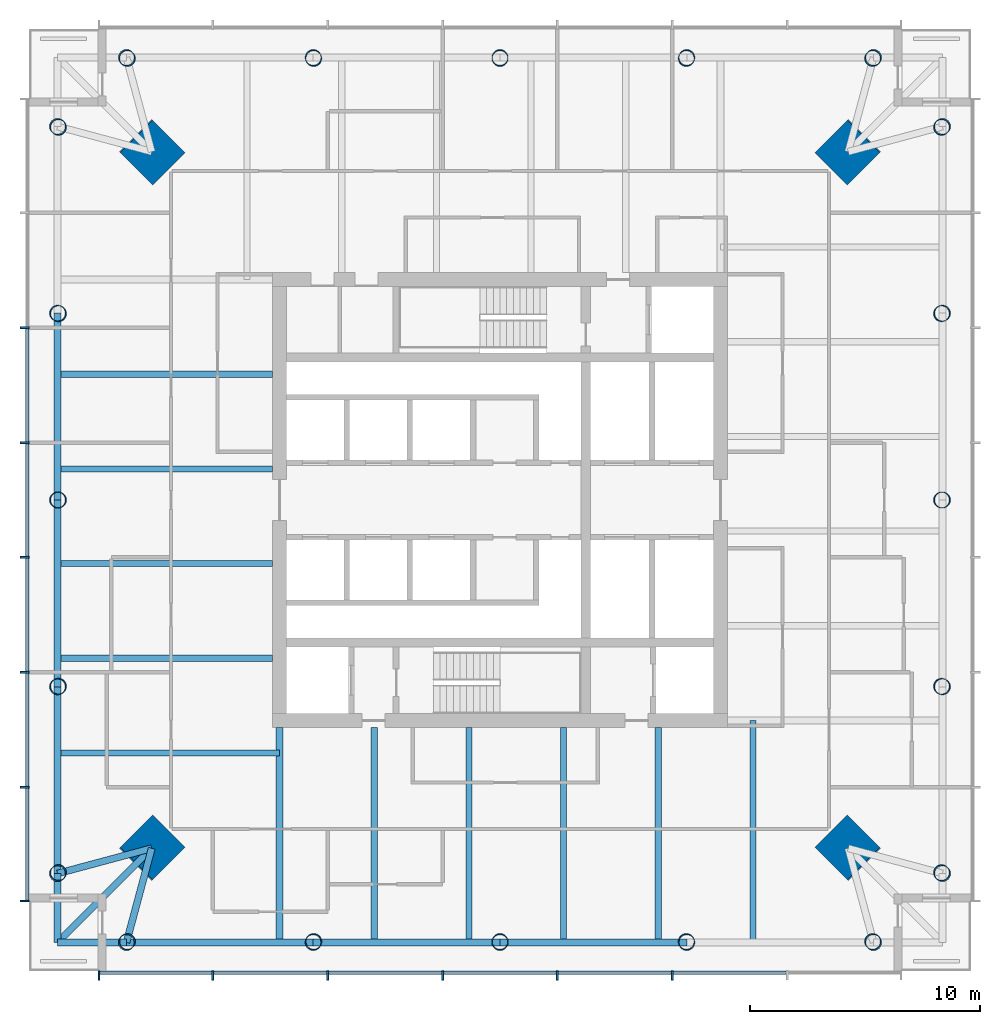
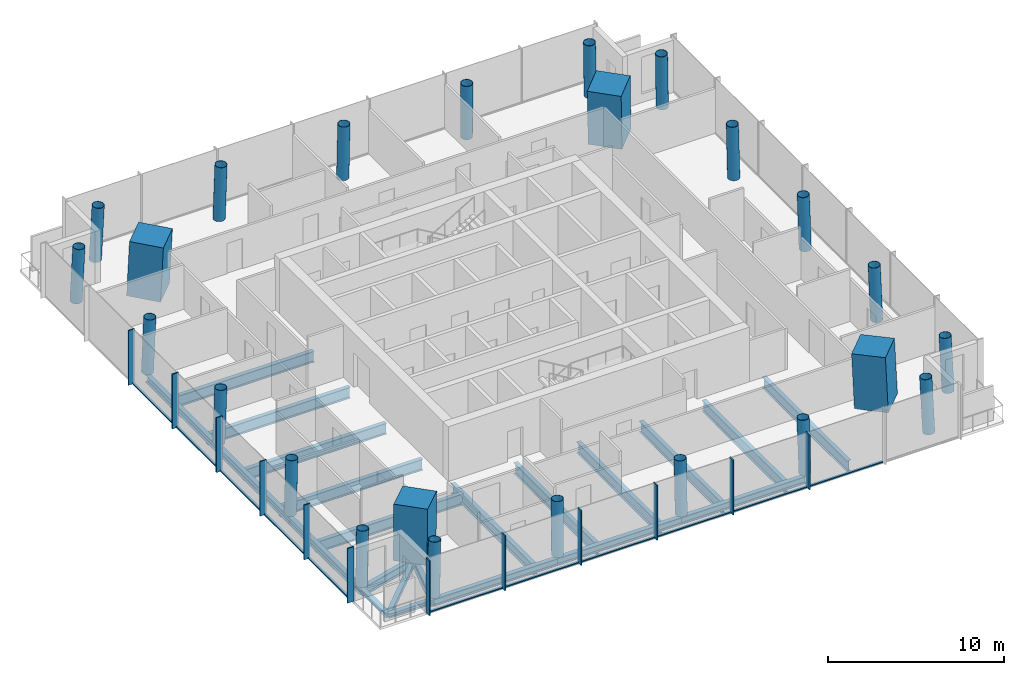
# One storey, part 1 of 8: 24 columns, 23 members, 22 beams, 2 elements without a shape of their own.
"""IFC4 building model written with IfcOpenShell, lengths in metres."""

from ifc_helpers import new_model, si_unit, direction, frame, origin, origin_2d, place, context, subcontext, project, spatial, rectangle, hollow_circle, i_section, extrude, material, material_profile, profile_set, type_object, element, aggregate, save


model = new_model("IFC4")

# Units and contexts
model_context = context("Model", 3, precision=1e-05, world=origin(), true_north=direction((0.0, 1.0)))
body_context = subcontext(model_context, "Body", "Model", "MODEL_VIEW")
ifc_project = project(units=[si_unit("LENGTHUNIT", "METRE"), si_unit("AREAUNIT", "SQUARE_METRE"), si_unit("VOLUMEUNIT", "CUBIC_METRE"), si_unit("PLANEANGLEUNIT", "RADIAN"), si_unit("MASSUNIT", "GRAM", prefix="KILO")], contexts=[model_context])

# Site, building, storey
site_placement = place(None, origin())
site = spatial("IfcSite", under=ifc_project, at=site_placement, CompositionType="ELEMENT")
building_placement = place(site_placement, origin())
building = spatial("IfcBuilding", under=site, at=building_placement, Name="Ostroluk Exchange", CompositionType="ELEMENT")
storey_placement = place(building_placement, frame((0.0, 0.0, 169.199951171875)))
storey = spatial("IfcBuildingStorey", under=building, at=storey_placement, Name="L43", CompositionType="ELEMENT", Elevation=169.199951171875)

# Columns
ifc_material_1 = material(Name="Concrete C50/60", Category="concrete")
ifc_material_profile_1 = material_profile(ifc_material_1, rectangle(XDim=2.0, YDim=2.0, at=origin_2d()), Name="RC 2000x2000")
ifc_profile_set_1 = profile_set([ifc_material_profile_1], Name="Concrete C50/60")
column_type_1 = type_object("IfcColumnType", Name="Mega column RC 2000x2000", PredefinedType="COLUMN", material=ifc_profile_set_1)
for number, where, z_axis, x_axis, name in (
    (1, (60.164306640625, 61.164306640625, 0.0), (-0.031898107953, -0.031898107953, 0.998981992539), (0.707106781187, -0.707106781187, 0.0), "T1 mega column NE"),
    (2, (29.835693359375, 61.164306640625, 0.0), (0.031898107953, -0.031898107953, 0.998981992539), (0.707106781187, 0.707106781187, 0.0), "T1 mega column NW"),
    (3, (29.835693359375, 30.835693359375, 0.0), (0.031898107953, 0.031898107953, 0.998981992539), (-0.707106781187, 0.707106781187, 0.0), "T1 mega column SW"),
    (4, (60.164306640625, 30.835693359375, 0.0), (-0.031898107953, 0.031898107953, 0.998981992539), (-0.707106781187, -0.707106781187, 0.0), "T1 mega column SE"),
):
    element("IfcColumn", number, at=place(storey_placement, frame(where, z_axis=z_axis, x_axis=x_axis)), inside=storey, type_object=column_type_1, Name=name, PredefinedType="COLUMN", context=body_context, shape_type="SweptSolid", body=[
        extrude(rectangle(XDim=2.0, YDim=2.0, at=origin_2d()), origin(), (0.0, 0.0, 1.0), 3.803955078125),
    ])
ifc_material_2 = material(Name="Steel S460", Category="steel")
ifc_material_profile_2 = material_profile(ifc_material_2, hollow_circle(Radius=0.35546875, WallThickness=0.02490234375, at=origin_2d()), Name="CHS 711x25")
ifc_profile_set_2 = profile_set([ifc_material_profile_2], Name="Steel S460")
column_type_2 = type_object("IfcColumnType", Name="Perimeter column CHS 711x25", PredefinedType="COLUMN", material=ifc_profile_set_2)
for number, where, z_axis, x_axis, name in (
    (5, (64.264404296875, 29.735595703125, 0.0), (-0.031962158256, 0.031962158256, 0.998977898093), (-0.707106781187, -0.707106781187, 0.0), "T1 east face column E0"),
    (6, (64.264404296875, 62.264404296875, 0.0), (-0.031962158256, -0.031962158256, 0.998977898093), (0.707106781187, -0.707106781187, 0.0), "T1 east face column E1"),
):
    element("IfcColumn", number, at=place(storey_placement, frame(where, z_axis=z_axis, x_axis=x_axis)), inside=storey, type_object=column_type_2, Name=name, PredefinedType="COLUMN", context=body_context, shape_type="SweptSolid", body=[
        extrude(hollow_circle(Radius=0.35546875, WallThickness=0.02490234375, at=origin_2d()), origin(), (0.0, 0.0, 1.0), 3.803955078125),
    ])
column_1_placement = place(storey_placement, frame((64.264404296875, 37.867919921875, 0.0), z_axis=(-0.031974442509, 0.015923015547, 0.999361842679), x_axis=(-0.445775033553, -0.895145027055, 0.0)))
element("IfcColumn", 7, at=column_1_placement, inside=storey, type_object=column_type_2, Name="T1 east face column I1", PredefinedType="COLUMN", context=body_context, shape_type="SweptSolid", body=[
    extrude(hollow_circle(Radius=0.35546875, WallThickness=0.02490234375, at=origin_2d()), origin(), (0.0, 0.0, 1.0), 3.802490234375),
])
column_2_placement = place(storey_placement, frame((64.264404296875, 46.0, 0.0), z_axis=(-0.031978496719, 0.0, 0.999488557087), x_axis=(0.0, -1.0, 0.0)))
element("IfcColumn", 8, at=column_2_placement, inside=storey, type_object=column_type_2, Name="T1 east face column I2", PredefinedType="COLUMN", context=body_context, shape_type="SweptSolid", body=[
    extrude(hollow_circle(Radius=0.35546875, WallThickness=0.02490234375, at=origin_2d()), origin(), (0.0, 0.0, 1.0), 3.802001953125),
])
column_3_placement = place(storey_placement, frame((64.264404296875, 54.132080078125, 0.0), z_axis=(-0.031974442509, -0.015923015547, 0.999361842679), x_axis=(0.445775033553, -0.895145027055, 0.0)))
element("IfcColumn", 9, at=column_3_placement, inside=storey, type_object=column_type_2, Name="T1 east face column I3", PredefinedType="COLUMN", context=body_context, shape_type="SweptSolid", body=[
    extrude(hollow_circle(Radius=0.35546875, WallThickness=0.02490234375, at=origin_2d()), origin(), (0.0, 0.0, 1.0), 3.802490234375),
])
for number, where, z_axis, x_axis, name in (
    (10, (61.264404296875, 65.264404296875, 0.0), (-0.031962158256, -0.031962158256, 0.998977898093), (0.707106781187, -0.707106781187, 0.0), "T1 north face column E0"),
    (11, (28.735595703125, 65.264404296875, 0.0), (0.031962158256, -0.031962158256, 0.998977898093), (0.707106781187, 0.707106781187, 0.0), "T1 north face column E1"),
):
    element("IfcColumn", number, at=place(storey_placement, frame(where, z_axis=z_axis, x_axis=x_axis)), inside=storey, type_object=column_type_2, Name=name, PredefinedType="COLUMN", context=body_context, shape_type="SweptSolid", body=[
        extrude(hollow_circle(Radius=0.35546875, WallThickness=0.02490234375, at=origin_2d()), origin(), (0.0, 0.0, 1.0), 3.803955078125),
    ])
column_4_placement = place(storey_placement, frame((53.132080078125, 65.264404296875, 0.0), z_axis=(-0.015923015547, -0.031974442509, 0.999361842679), x_axis=(0.895145027055, -0.445775033553, 0.0)))
element("IfcColumn", 12, at=column_4_placement, inside=storey, type_object=column_type_2, Name="T1 north face column I1", PredefinedType="COLUMN", context=body_context, shape_type="SweptSolid", body=[
    extrude(hollow_circle(Radius=0.35546875, WallThickness=0.02490234375, at=origin_2d()), origin(), (0.0, 0.0, 1.0), 3.802490234375),
])
column_5_placement = place(storey_placement, frame((45.0, 65.264404296875, 0.0), z_axis=(0.0, -0.031978496719, 0.999488557087), x_axis=(1.0, 0.0, 0.0)))
element("IfcColumn", 13, at=column_5_placement, inside=storey, type_object=column_type_2, Name="T1 north face column I2", PredefinedType="COLUMN", context=body_context, shape_type="SweptSolid", body=[
    extrude(hollow_circle(Radius=0.35546875, WallThickness=0.02490234375, at=origin_2d()), origin(), (0.0, 0.0, 1.0), 3.802001953125),
])
column_6_placement = place(storey_placement, frame((36.867919921875, 65.264404296875, 0.0), z_axis=(0.015923015547, -0.031974442509, 0.999361842679), x_axis=(0.895145027055, 0.445775033553, 0.0)))
element("IfcColumn", 14, at=column_6_placement, inside=storey, type_object=column_type_2, Name="T1 north face column I3", PredefinedType="COLUMN", context=body_context, shape_type="SweptSolid", body=[
    extrude(hollow_circle(Radius=0.35546875, WallThickness=0.02490234375, at=origin_2d()), origin(), (0.0, 0.0, 1.0), 3.802490234375),
])
for number, where, z_axis, x_axis, name in (
    (15, (25.735595703125, 62.264404296875, 0.0), (0.031962158256, -0.031962158256, 0.998977898093), (0.707106781187, 0.707106781187, 0.0), "T1 west face column E0"),
    (16, (25.735595703125, 29.735595703125, 0.0), (0.031962158256, 0.031962158256, 0.998977898093), (-0.707106781187, 0.707106781187, 0.0), "T1 west face column E1"),
):
    element("IfcColumn", number, at=place(storey_placement, frame(where, z_axis=z_axis, x_axis=x_axis)), inside=storey, type_object=column_type_2, Name=name, PredefinedType="COLUMN", context=body_context, shape_type="SweptSolid", body=[
        extrude(hollow_circle(Radius=0.35546875, WallThickness=0.02490234375, at=origin_2d()), origin(), (0.0, 0.0, 1.0), 3.803955078125),
    ])
column_7_placement = place(storey_placement, frame((25.735595703125, 54.132080078125, 0.0), z_axis=(0.031974442509, -0.015923015547, 0.999361842679), x_axis=(0.445775033553, 0.895145027055, 0.0)))
element("IfcColumn", 17, at=column_7_placement, inside=storey, type_object=column_type_2, Name="T1 west face column I1", PredefinedType="COLUMN", context=body_context, shape_type="SweptSolid", body=[
    extrude(hollow_circle(Radius=0.35546875, WallThickness=0.02490234375, at=origin_2d()), origin(), (0.0, 0.0, 1.0), 3.802490234375),
])
column_8_placement = place(storey_placement, frame((25.735595703125, 46.0, 0.0), z_axis=(0.031978496719, 0.0, 0.999488557087), x_axis=(0.0, 1.0, 0.0)))
element("IfcColumn", 18, at=column_8_placement, inside=storey, type_object=column_type_2, Name="T1 west face column I2", PredefinedType="COLUMN", context=body_context, shape_type="SweptSolid", body=[
    extrude(hollow_circle(Radius=0.35546875, WallThickness=0.02490234375, at=origin_2d()), origin(), (0.0, 0.0, 1.0), 3.802001953125),
])
column_9_placement = place(storey_placement, frame((25.735595703125, 37.867919921875, 0.0), z_axis=(0.031974442509, 0.015923015547, 0.999361842679), x_axis=(-0.445775033553, 0.895145027055, 0.0)))
element("IfcColumn", 19, at=column_9_placement, inside=storey, type_object=column_type_2, Name="T1 west face column I3", PredefinedType="COLUMN", context=body_context, shape_type="SweptSolid", body=[
    extrude(hollow_circle(Radius=0.35546875, WallThickness=0.02490234375, at=origin_2d()), origin(), (0.0, 0.0, 1.0), 3.802490234375),
])
for number, where, z_axis, x_axis, name in (
    (20, (28.735595703125, 26.735595703125, 0.0), (0.031962158256, 0.031962158256, 0.998977898093), (-0.707106781187, 0.707106781187, 0.0), "T1 south face column E0"),
    (21, (61.264404296875, 26.735595703125, 0.0), (-0.031962158256, 0.031962158256, 0.998977898093), (-0.707106781187, -0.707106781187, 0.0), "T1 south face column E1"),
):
    element("IfcColumn", number, at=place(storey_placement, frame(where, z_axis=z_axis, x_axis=x_axis)), inside=storey, type_object=column_type_2, Name=name, PredefinedType="COLUMN", context=body_context, shape_type="SweptSolid", body=[
        extrude(hollow_circle(Radius=0.35546875, WallThickness=0.02490234375, at=origin_2d()), origin(), (0.0, 0.0, 1.0), 3.803955078125),
    ])
column_10_placement = place(storey_placement, frame((36.867919921875, 26.735595703125, 0.0), z_axis=(0.015923015547, 0.031974442509, 0.999361842679), x_axis=(-0.895145027055, 0.445775033553, 0.0)))
element("IfcColumn", 22, at=column_10_placement, inside=storey, type_object=column_type_2, Name="T1 south face column I1", PredefinedType="COLUMN", context=body_context, shape_type="SweptSolid", body=[
    extrude(hollow_circle(Radius=0.35546875, WallThickness=0.02490234375, at=origin_2d()), origin(), (0.0, 0.0, 1.0), 3.802490234375),
])
column_11_placement = place(storey_placement, frame((45.0, 26.735595703125, 0.0), z_axis=(0.0, 0.031978496719, 0.999488557087), x_axis=(-1.0, 0.0, 0.0)))
element("IfcColumn", 23, at=column_11_placement, inside=storey, type_object=column_type_2, Name="T1 south face column I2", PredefinedType="COLUMN", context=body_context, shape_type="SweptSolid", body=[
    extrude(hollow_circle(Radius=0.35546875, WallThickness=0.02490234375, at=origin_2d()), origin(), (0.0, 0.0, 1.0), 3.802001953125),
])
column_12_placement = place(storey_placement, frame((53.132080078125, 26.735595703125, 0.0), z_axis=(-0.015923015547, 0.031974442509, 0.999361842679), x_axis=(-0.895145027055, -0.445775033553, 0.0)))
element("IfcColumn", 24, at=column_12_placement, inside=storey, type_object=column_type_2, Name="T1 south face column I3", PredefinedType="COLUMN", context=body_context, shape_type="SweptSolid", body=[
    extrude(hollow_circle(Radius=0.35546875, WallThickness=0.02490234375, at=origin_2d()), origin(), (0.0, 0.0, 1.0), 3.802490234375),
])

# Beams
ifc_material_3 = material(Name="Steel S355", Category="steel")
ifc_material_profile_3 = material_profile(ifc_material_3, i_section(OverallWidth=0.300048828125, OverallDepth=0.300048828125, WebThickness=0.010986328125, FlangeThickness=0.01904296875, FilletRadius=0.027099609375, at=origin_2d()), Name="HEB 300")
ifc_profile_set_3 = profile_set([ifc_material_profile_3], Name="Steel S355")
beam_type_1 = type_object("IfcBeamType", Name="Balcony beam HEB 300", PredefinedType="BEAM", material=ifc_profile_set_3)
for number, where, z_axis, x_axis, name in (
    (25, (25.735595703125, 29.735595703125, -0.329833984375), (0.0, -1.0, 0.0), (1.0, 0.0, 0.0), "T1 west balcony beam a"),
    (26, (28.735595703125, 26.735595703125, -0.329833984375), (-1.0, 0.0, 0.0), (0.0, -1.0, 0.0), "T1 west balcony beam b"),
):
    element("IfcBeam", number, at=place(storey_placement, frame(where, z_axis=z_axis, x_axis=x_axis)), inside=storey, type_object=beam_type_1, Name=name, PredefinedType="BEAM", context=body_context, shape_type="SweptSolid", body=[
        extrude(i_section(OverallWidth=0.300048828125, OverallDepth=0.300048828125, WebThickness=0.010986328125, FlangeThickness=0.01904296875, FilletRadius=0.027099609375, at=origin_2d()), origin(), (0.0, 0.0, 1.0), 3.0),
    ])
beam_1_placement = place(storey_placement, frame((29.835693359375, 30.835693359375, -0.329833984375), z_axis=(-0.707106781187, -0.707106781187, 0.0), x_axis=(0.707106781187, -0.707106781187, 0.0)))
element("IfcBeam", 27, at=beam_1_placement, inside=storey, type_object=beam_type_1, Name="T1 west balcony beam c", PredefinedType="BEAM", context=body_context, shape_type="SweptSolid", body=[
    extrude(i_section(OverallWidth=0.300048828125, OverallDepth=0.300048828125, WebThickness=0.010986328125, FlangeThickness=0.01904296875, FilletRadius=0.027099609375, at=origin_2d()), origin(), (0.0, 0.0, 1.0), 5.79833984375),
])
ifc_material_4 = material(Name="Steel S355", Category="steel")
ifc_material_profile_4 = material_profile(ifc_material_4, i_section(OverallWidth=0.300048828125, OverallDepth=0.60009765625, WebThickness=0.015380859375, FlangeThickness=0.030029296875, FilletRadius=0.027099609375, at=origin_2d()), Name="HEB 600")
ifc_profile_set_4 = profile_set([ifc_material_profile_4], Name="Steel S355")
beam_type_2 = type_object("IfcBeamType", Name="Corner edge beam HEB 600", PredefinedType="SPANDREL", material=ifc_profile_set_4)
for number, where, z_axis, x_axis, name in (
    (28, (29.835693359375, 30.835693359375, -0.47998046875), (-0.965838624319, -0.259144268261, 0.0), (0.259144268261, -0.965838624319, 0.0), "T1 west corner edge beam a"),
    (29, (29.835693359375, 30.835693359375, -0.47998046875), (-0.259144268261, -0.965838624319, 0.0), (0.965838624319, -0.259144268261, 0.0), "T1 west corner edge beam b"),
):
    element("IfcBeam", number, at=place(storey_placement, frame(where, z_axis=z_axis, x_axis=x_axis)), inside=storey, type_object=beam_type_2, Name=name, PredefinedType="SPANDREL", context=body_context, shape_type="SweptSolid", body=[
        extrude(i_section(OverallWidth=0.300048828125, OverallDepth=0.60009765625, WebThickness=0.015380859375, FlangeThickness=0.030029296875, FilletRadius=0.027099609375, at=origin_2d()), origin(), (0.0, 0.0, 1.0), 4.2451171875),
    ])
ifc_material_5 = material(Name="Steel S355", Category="steel")
ifc_material_profile_5 = material_profile(ifc_material_5, i_section(OverallWidth=0.26806640625, OverallDepth=0.77001953125, WebThickness=0.015625, FlangeThickness=0.025390625, FilletRadius=0.01708984375, at=origin_2d()), Name="IPE 750x196")
ifc_profile_set_5 = profile_set([ifc_material_profile_5], Name="Steel S355")
beam_type_3 = type_object("IfcBeamType", Name="Floor beam IPE 750x196", PredefinedType="BEAM", material=ifc_profile_set_5)
for number, where, z_axis, x_axis, name in (
    (30, (35.10009765625, 51.4765625, -0.56494140625), (-1.0, 0.0, 0.0), (0.0, -1.0, 0.0), "T1 west floor beam 1"),
    (31, (35.10009765625, 47.35302734375, -0.56494140625), (-1.0, 0.0, 0.0), (0.0, -1.0, 0.0), "T1 west floor beam 2"),
    (32, (35.10009765625, 43.2294921875, -0.56494140625), (-1.0, 0.0, 0.0), (0.0, -1.0, 0.0), "T1 west floor beam 3"),
    (33, (35.10009765625, 39.106201171875, -0.56494140625), (-1.0, 0.0, 0.0), (0.0, -1.0, 0.0), "T1 west floor beam 4"),
):
    element("IfcBeam", number, at=place(storey_placement, frame(where, z_axis=z_axis, x_axis=x_axis)), inside=storey, type_object=beam_type_3, Name=name, PredefinedType="BEAM", context=body_context, shape_type="SweptSolid", body=[
        extrude(i_section(OverallWidth=0.26806640625, OverallDepth=0.77001953125, WebThickness=0.015625, FlangeThickness=0.025390625, FilletRadius=0.01708984375, at=origin_2d()), origin(), (0.0, 0.0, 1.0), 9.364501953125),
    ])
beam_2_placement = place(storey_placement, frame((35.39990234375, 34.982666015625, -0.56494140625), z_axis=(-1.0, 0.0, 0.0), x_axis=(0.0, -1.0, 0.0)))
element("IfcBeam", 34, at=beam_2_placement, inside=storey, type_object=beam_type_3, Name="T1 west floor beam 5", PredefinedType="BEAM", context=body_context, shape_type="SweptSolid", body=[
    extrude(i_section(OverallWidth=0.26806640625, OverallDepth=0.77001953125, WebThickness=0.015625, FlangeThickness=0.025390625, FilletRadius=0.01708984375, at=origin_2d()), origin(), (0.0, 0.0, 1.0), 9.664306640625),
])
for number, where, z_axis, x_axis, name in (
    (35, (39.5234375, 36.10009765625, -0.56494140625), (0.0, -1.0, 0.0), (1.0, 0.0, 0.0), "T1 south floor beam 1"),
    (36, (43.64697265625, 36.10009765625, -0.56494140625), (0.0, -1.0, 0.0), (1.0, 0.0, 0.0), "T1 south floor beam 2"),
    (37, (47.7705078125, 36.10009765625, -0.56494140625), (0.0, -1.0, 0.0), (1.0, 0.0, 0.0), "T1 south floor beam 3"),
    (38, (51.893798828125, 36.10009765625, -0.56494140625), (0.0, -1.0, 0.0), (1.0, 0.0, 0.0), "T1 south floor beam 4"),
):
    element("IfcBeam", number, at=place(storey_placement, frame(where, z_axis=z_axis, x_axis=x_axis)), inside=storey, type_object=beam_type_3, Name=name, PredefinedType="BEAM", context=body_context, shape_type="SweptSolid", body=[
        extrude(i_section(OverallWidth=0.26806640625, OverallDepth=0.77001953125, WebThickness=0.015625, FlangeThickness=0.025390625, FilletRadius=0.01708984375, at=origin_2d()), origin(), (0.0, 0.0, 1.0), 9.364501953125),
    ])
beam_3_placement = place(storey_placement, frame((56.017333984375, 36.39990234375, -0.56494140625), z_axis=(0.0, -1.0, 0.0), x_axis=(1.0, 0.0, 0.0)))
element("IfcBeam", 39, at=beam_3_placement, inside=storey, type_object=beam_type_3, Name="T1 south floor beam 5", PredefinedType="BEAM", context=body_context, shape_type="SweptSolid", body=[
    extrude(i_section(OverallWidth=0.26806640625, OverallDepth=0.77001953125, WebThickness=0.015625, FlangeThickness=0.025390625, FilletRadius=0.01708984375, at=origin_2d()), origin(), (0.0, 0.0, 1.0), 9.664306640625),
])
ifc_material_6 = material(Name="Steel S355", Category="steel")
ifc_material_profile_6 = material_profile(ifc_material_6, i_section(OverallWidth=0.300048828125, OverallDepth=0.699951171875, WebThickness=0.01708984375, FlangeThickness=0.031982421875, FilletRadius=0.027099609375, at=origin_2d()), Name="HEB 700")
ifc_profile_set_6 = profile_set([ifc_material_profile_6], Name="Steel S355")
beam_type_4 = type_object("IfcBeamType", Name="Girder HEB 700", PredefinedType="BEAM", material=ifc_profile_set_6)
beam_4_placement = place(storey_placement, frame((35.39990234375, 36.10009765625, -0.530029296875), z_axis=(0.0, -1.0, 0.0), x_axis=(1.0, 0.0, 0.0)))
element("IfcBeam", 40, at=beam_4_placement, inside=storey, type_object=beam_type_4, Name="T1 west girder", PredefinedType="BEAM", context=body_context, shape_type="SweptSolid", body=[
    extrude(i_section(OverallWidth=0.300048828125, OverallDepth=0.699951171875, WebThickness=0.01708984375, FlangeThickness=0.031982421875, FilletRadius=0.027099609375, at=origin_2d()), origin(), (0.0, 0.0, 1.0), 9.364501953125),
])
ifc_material_7 = material(Name="Steel S355", Category="steel")
ifc_material_profile_7 = material_profile(ifc_material_7, i_section(OverallWidth=0.300048828125, OverallDepth=0.5, WebThickness=0.014404296875, FlangeThickness=0.028076171875, FilletRadius=0.027099609375, at=origin_2d()), Name="HEB 500")
ifc_profile_set_7 = profile_set([ifc_material_profile_7], Name="Steel S355")
beam_type_5 = type_object("IfcBeamType", Name="Moment-connected edge beam HEB 500", PredefinedType="SPANDREL", material=ifc_profile_set_7)
for number, where, z_axis, x_axis, name in (
    (41, (25.735595703125, 54.132080078125, -0.429931640625), (0.0, -1.0, 0.0), (1.0, 0.0, 0.0), "T1 west edge beam 2"),
    (42, (25.735595703125, 46.0, -0.429931640625), (0.0, -1.0, 0.0), (1.0, 0.0, 0.0), "T1 west edge beam 3"),
):
    element("IfcBeam", number, at=place(storey_placement, frame(where, z_axis=z_axis, x_axis=x_axis)), inside=storey, type_object=beam_type_5, Name=name, PredefinedType="SPANDREL", context=body_context, shape_type="SweptSolid", body=[
        extrude(i_section(OverallWidth=0.300048828125, OverallDepth=0.5, WebThickness=0.014404296875, FlangeThickness=0.028076171875, FilletRadius=0.027099609375, at=origin_2d()), origin(), (0.0, 0.0, 1.0), 8.132080078125),
    ])
for number, where, z_axis, x_axis, name in (
    (43, (25.735595703125, 37.867919921875, -0.429931640625), (0.0, -1.0, 0.0), (1.0, 0.0, 0.0), "T1 west edge beam 4"),
    (44, (28.735595703125, 26.735595703125, -0.429931640625), (1.0, 0.0, 0.0), (0.0, 1.0, 0.0), "T1 south edge beam 1"),
):
    element("IfcBeam", number, at=place(storey_placement, frame(where, z_axis=z_axis, x_axis=x_axis)), inside=storey, type_object=beam_type_5, Name=name, PredefinedType="SPANDREL", context=body_context, shape_type="SweptSolid", body=[
        extrude(i_section(OverallWidth=0.300048828125, OverallDepth=0.5, WebThickness=0.014404296875, FlangeThickness=0.028076171875, FilletRadius=0.027099609375, at=origin_2d()), origin(), (0.0, 0.0, 1.0), 8.13232421875),
    ])
for number, where, z_axis, x_axis, name in (
    (45, (36.867919921875, 26.735595703125, -0.429931640625), (1.0, 0.0, 0.0), (0.0, 1.0, 0.0), "T1 south edge beam 2"),
    (46, (45.0, 26.735595703125, -0.429931640625), (1.0, 0.0, 0.0), (0.0, 1.0, 0.0), "T1 south edge beam 3"),
):
    element("IfcBeam", number, at=place(storey_placement, frame(where, z_axis=z_axis, x_axis=x_axis)), inside=storey, type_object=beam_type_5, Name=name, PredefinedType="SPANDREL", context=body_context, shape_type="SweptSolid", body=[
        extrude(i_section(OverallWidth=0.300048828125, OverallDepth=0.5, WebThickness=0.014404296875, FlangeThickness=0.028076171875, FilletRadius=0.027099609375, at=origin_2d()), origin(), (0.0, 0.0, 1.0), 8.132080078125),
    ])

# Curtain wall, members
ifc_material_8 = material(Name="Laminated clear glass", Category="glass")
curtain_wall_type = type_object("IfcCurtainWallType", Name="Office tower facade", PredefinedType="USERDEFINED", material=ifc_material_8)
curtain_wall_1_placement = place(storey_placement, origin())
curtain_wall_1 = element("IfcCurtainWall", 47, at=curtain_wall_1_placement, inside=storey, type_object=curtain_wall_type, Name="Office tower south facade L43", ObjectType="UNITISED CURTAIN WALL", PredefinedType="USERDEFINED")
ifc_material_9 = material(Name="Aluminium mullion", Category="aluminium")
ifc_material_profile_8 = material_profile(ifc_material_9, rectangle(XDim=0.14990234375, YDim=0.080078125, at=origin_2d()), Name="Sill transom 80 x 150")
ifc_profile_set_8 = profile_set([ifc_material_profile_8], Name="Aluminium mullion")
member_type_1 = type_object("IfcMemberType", Name="Sill transom 80 x 150", PredefinedType="USERDEFINED", material=ifc_profile_set_8)
member_1_placement = place(storey_placement, frame((27.580078125, 25.425048828125, 0.0400390625), z_axis=(1.0, 0.0, 0.0), x_axis=(0.0, 1.0, 0.0)))
member_1 = element("IfcMember", 48, at=member_1_placement, type_object=member_type_1, Name="CW-O1 transom 1.1", ObjectType="TRANSOM", PredefinedType="USERDEFINED", context=body_context, shape_type="SweptSolid", body=[
    extrude(rectangle(XDim=0.14990234375, YDim=0.080078125, at=origin_2d()), origin(), (0.0, 0.0, 1.0), 4.8798828125),
])
member_2_placement = place(storey_placement, frame((32.5400390625, 25.425048828125, 0.0400390625), z_axis=(1.0, 0.0, 0.0), x_axis=(0.0, 1.0, 0.0)))
member_2 = element("IfcMember", 49, at=member_2_placement, type_object=member_type_1, Name="CW-O1 transom 2.1", ObjectType="TRANSOM", PredefinedType="USERDEFINED", context=body_context, shape_type="SweptSolid", body=[
    extrude(rectangle(XDim=0.14990234375, YDim=0.080078125, at=origin_2d()), origin(), (0.0, 0.0, 1.0), 4.919921875),
])
member_3_placement = place(storey_placement, frame((37.5400390625, 25.425048828125, 0.0400390625), z_axis=(1.0, 0.0, 0.0), x_axis=(0.0, 1.0, 0.0)))
member_3 = element("IfcMember", 50, at=member_3_placement, type_object=member_type_1, Name="CW-O1 transom 3.1", ObjectType="TRANSOM", PredefinedType="USERDEFINED", context=body_context, shape_type="SweptSolid", body=[
    extrude(rectangle(XDim=0.14990234375, YDim=0.080078125, at=origin_2d()), origin(), (0.0, 0.0, 1.0), 4.919921875),
])
member_4_placement = place(storey_placement, frame((42.5400390625, 25.425048828125, 0.0400390625), z_axis=(1.0, 0.0, 0.0), x_axis=(0.0, 1.0, 0.0)))
member_4 = element("IfcMember", 51, at=member_4_placement, type_object=member_type_1, Name="CW-O1 transom 4.1", ObjectType="TRANSOM", PredefinedType="USERDEFINED", context=body_context, shape_type="SweptSolid", body=[
    extrude(rectangle(XDim=0.14990234375, YDim=0.080078125, at=origin_2d()), origin(), (0.0, 0.0, 1.0), 4.919921875),
])
member_5_placement = place(storey_placement, frame((47.5400390625, 25.425048828125, 0.0400390625), z_axis=(1.0, 0.0, 0.0), x_axis=(0.0, 1.0, 0.0)))
member_5 = element("IfcMember", 52, at=member_5_placement, type_object=member_type_1, Name="CW-O1 transom 5.1", ObjectType="TRANSOM", PredefinedType="USERDEFINED", context=body_context, shape_type="SweptSolid", body=[
    extrude(rectangle(XDim=0.14990234375, YDim=0.080078125, at=origin_2d()), origin(), (0.0, 0.0, 1.0), 4.919921875),
])
member_6_placement = place(storey_placement, frame((52.5400390625, 25.425048828125, 0.0400390625), z_axis=(1.0, 0.0, 0.0), x_axis=(0.0, 1.0, 0.0)))
member_6 = element("IfcMember", 53, at=member_6_placement, type_object=member_type_1, Name="CW-O1 transom 6.1", ObjectType="TRANSOM", PredefinedType="USERDEFINED", context=body_context, shape_type="SweptSolid", body=[
    extrude(rectangle(XDim=0.14990234375, YDim=0.080078125, at=origin_2d()), origin(), (0.0, 0.0, 1.0), 4.919921875),
])

curtain_wall_2_placement = place(storey_placement, origin())
curtain_wall_2 = element("IfcCurtainWall", 54, at=curtain_wall_2_placement, inside=storey, type_object=curtain_wall_type, Name="Office tower west facade L43", ObjectType="UNITISED CURTAIN WALL", PredefinedType="USERDEFINED")
member_7_placement = place(storey_placement, frame((24.425048828125, 53.4599609375, 0.0400390625), z_axis=(0.0, -1.0, 0.0), x_axis=(1.0, 0.0, 0.0)))
member_7 = element("IfcMember", 55, at=member_7_placement, type_object=member_type_1, Name="CW-O1 transom 3.1", ObjectType="TRANSOM", PredefinedType="USERDEFINED", context=body_context, shape_type="SweptSolid", body=[
    extrude(rectangle(XDim=0.14990234375, YDim=0.080078125, at=origin_2d()), origin(), (0.0, 0.0, 1.0), 4.919921875),
])
member_8_placement = place(storey_placement, frame((24.425048828125, 48.4599609375, 0.0400390625), z_axis=(0.0, -1.0, 0.0), x_axis=(1.0, 0.0, 0.0)))
member_8 = element("IfcMember", 56, at=member_8_placement, type_object=member_type_1, Name="CW-O1 transom 4.1", ObjectType="TRANSOM", PredefinedType="USERDEFINED", context=body_context, shape_type="SweptSolid", body=[
    extrude(rectangle(XDim=0.14990234375, YDim=0.080078125, at=origin_2d()), origin(), (0.0, 0.0, 1.0), 4.919921875),
])
member_9_placement = place(storey_placement, frame((24.425048828125, 43.4599609375, 0.0400390625), z_axis=(0.0, -1.0, 0.0), x_axis=(1.0, 0.0, 0.0)))
member_9 = element("IfcMember", 57, at=member_9_placement, type_object=member_type_1, Name="CW-O1 transom 5.1", ObjectType="TRANSOM", PredefinedType="USERDEFINED", context=body_context, shape_type="SweptSolid", body=[
    extrude(rectangle(XDim=0.14990234375, YDim=0.080078125, at=origin_2d()), origin(), (0.0, 0.0, 1.0), 4.919921875),
])
member_10_placement = place(storey_placement, frame((24.425048828125, 38.4599609375, 0.0400390625), z_axis=(0.0, -1.0, 0.0), x_axis=(1.0, 0.0, 0.0)))
member_10 = element("IfcMember", 58, at=member_10_placement, type_object=member_type_1, Name="CW-O1 transom 6.1", ObjectType="TRANSOM", PredefinedType="USERDEFINED", context=body_context, shape_type="SweptSolid", body=[
    extrude(rectangle(XDim=0.14990234375, YDim=0.080078125, at=origin_2d()), origin(), (0.0, 0.0, 1.0), 4.919921875),
])
member_11_placement = place(storey_placement, frame((24.425048828125, 33.4599609375, 0.0400390625), z_axis=(0.0, -1.0, 0.0), x_axis=(1.0, 0.0, 0.0)))
member_11 = element("IfcMember", 59, at=member_11_placement, type_object=member_type_1, Name="CW-O1 transom 7.1", ObjectType="TRANSOM", PredefinedType="USERDEFINED", context=body_context, shape_type="SweptSolid", body=[
    extrude(rectangle(XDim=0.14990234375, YDim=0.080078125, at=origin_2d()), origin(), (0.0, 0.0, 1.0), 4.8798828125),
])

# Member
ifc_material_10 = material(Name="Aluminium mullion with limestone facing", Category="masonry")
ifc_material_profile_9 = material_profile(ifc_material_10, rectangle(XDim=0.39990234375, YDim=0.080078125, at=origin_2d()), Name="Tracery mullion 80 x 400")
ifc_profile_set_9 = profile_set([ifc_material_profile_9], Name="Aluminium mullion with limestone facing")
member_type_2 = type_object("IfcMemberType", Name="Tracery mullion 80 x 400", PredefinedType="MULLION", material=ifc_profile_set_9)
member_12_placement = place(storey_placement, frame((27.5400390625, 25.300048828125, 0.0), z_axis=(0.0, 0.0, 1.0), x_axis=(0.0, 1.0, 0.0)))
member_12 = element("IfcMember", 60, at=member_12_placement, type_object=member_type_2, Name="CW-O1 mullion 1", PredefinedType="MULLION", context=body_context, shape_type="SweptSolid", body=[
    extrude(rectangle(XDim=0.39990234375, YDim=0.080078125, at=origin_2d()), origin(), (0.0, 0.0, 1.0), 3.800048828125),
])

member_13_placement = place(storey_placement, frame((32.5, 25.300048828125, 0.0), z_axis=(0.0, 0.0, 1.0), x_axis=(0.0, 1.0, 0.0)))
member_13 = element("IfcMember", 61, at=member_13_placement, type_object=member_type_2, Name="CW-O1 mullion 2", PredefinedType="MULLION", context=body_context, shape_type="SweptSolid", body=[
    extrude(rectangle(XDim=0.39990234375, YDim=0.080078125, at=origin_2d()), origin(), (0.0, 0.0, 1.0), 3.800048828125),
])

member_14_placement = place(storey_placement, frame((37.5, 25.300048828125, 0.0), z_axis=(0.0, 0.0, 1.0), x_axis=(0.0, 1.0, 0.0)))
member_14 = element("IfcMember", 62, at=member_14_placement, type_object=member_type_2, Name="CW-O1 mullion 3", PredefinedType="MULLION", context=body_context, shape_type="SweptSolid", body=[
    extrude(rectangle(XDim=0.39990234375, YDim=0.080078125, at=origin_2d()), origin(), (0.0, 0.0, 1.0), 3.800048828125),
])

member_15_placement = place(storey_placement, frame((42.5, 25.300048828125, 0.0), z_axis=(0.0, 0.0, 1.0), x_axis=(0.0, 1.0, 0.0)))
member_15 = element("IfcMember", 63, at=member_15_placement, type_object=member_type_2, Name="CW-O1 mullion 4", PredefinedType="MULLION", context=body_context, shape_type="SweptSolid", body=[
    extrude(rectangle(XDim=0.39990234375, YDim=0.080078125, at=origin_2d()), origin(), (0.0, 0.0, 1.0), 3.800048828125),
])

member_16_placement = place(storey_placement, frame((47.5, 25.300048828125, 0.0), z_axis=(0.0, 0.0, 1.0), x_axis=(0.0, 1.0, 0.0)))
member_16 = element("IfcMember", 64, at=member_16_placement, type_object=member_type_2, Name="CW-O1 mullion 5", PredefinedType="MULLION", context=body_context, shape_type="SweptSolid", body=[
    extrude(rectangle(XDim=0.39990234375, YDim=0.080078125, at=origin_2d()), origin(), (0.0, 0.0, 1.0), 3.800048828125),
])

member_17_placement = place(storey_placement, frame((52.5, 25.300048828125, 0.0), z_axis=(0.0, 0.0, 1.0), x_axis=(0.0, 1.0, 0.0)))
member_17 = element("IfcMember", 65, at=member_17_placement, type_object=member_type_2, Name="CW-O1 mullion 6", PredefinedType="MULLION", context=body_context, shape_type="SweptSolid", body=[
    extrude(rectangle(XDim=0.39990234375, YDim=0.080078125, at=origin_2d()), origin(), (0.0, 0.0, 1.0), 3.800048828125),
])

aggregate(curtain_wall_1, [member_12, member_13, member_14, member_15, member_16, member_17, member_1, member_2, member_3, member_4, member_5, member_6])

member_18_placement = place(storey_placement, frame((24.300048828125, 53.5, 0.0), z_axis=(0.0, 0.0, 1.0), x_axis=(1.0, 0.0, 0.0)))
member_18 = element("IfcMember", 66, at=member_18_placement, type_object=member_type_2, Name="CW-O1 mullion 3", PredefinedType="MULLION", context=body_context, shape_type="SweptSolid", body=[
    extrude(rectangle(XDim=0.39990234375, YDim=0.080078125, at=origin_2d()), origin(), (0.0, 0.0, 1.0), 3.800048828125),
])

member_19_placement = place(storey_placement, frame((24.300048828125, 48.5, 0.0), z_axis=(0.0, 0.0, 1.0), x_axis=(1.0, 0.0, 0.0)))
member_19 = element("IfcMember", 67, at=member_19_placement, type_object=member_type_2, Name="CW-O1 mullion 4", PredefinedType="MULLION", context=body_context, shape_type="SweptSolid", body=[
    extrude(rectangle(XDim=0.39990234375, YDim=0.080078125, at=origin_2d()), origin(), (0.0, 0.0, 1.0), 3.800048828125),
])

member_20_placement = place(storey_placement, frame((24.300048828125, 43.5, 0.0), z_axis=(0.0, 0.0, 1.0), x_axis=(1.0, 0.0, 0.0)))
member_20 = element("IfcMember", 68, at=member_20_placement, type_object=member_type_2, Name="CW-O1 mullion 5", PredefinedType="MULLION", context=body_context, shape_type="SweptSolid", body=[
    extrude(rectangle(XDim=0.39990234375, YDim=0.080078125, at=origin_2d()), origin(), (0.0, 0.0, 1.0), 3.800048828125),
])

member_21_placement = place(storey_placement, frame((24.300048828125, 38.5, 0.0), z_axis=(0.0, 0.0, 1.0), x_axis=(1.0, 0.0, 0.0)))
member_21 = element("IfcMember", 69, at=member_21_placement, type_object=member_type_2, Name="CW-O1 mullion 6", PredefinedType="MULLION", context=body_context, shape_type="SweptSolid", body=[
    extrude(rectangle(XDim=0.39990234375, YDim=0.080078125, at=origin_2d()), origin(), (0.0, 0.0, 1.0), 3.800048828125),
])

member_22_placement = place(storey_placement, frame((24.300048828125, 33.5, 0.0), z_axis=(0.0, 0.0, 1.0), x_axis=(1.0, 0.0, 0.0)))
member_22 = element("IfcMember", 70, at=member_22_placement, type_object=member_type_2, Name="CW-O1 mullion 7", PredefinedType="MULLION", context=body_context, shape_type="SweptSolid", body=[
    extrude(rectangle(XDim=0.39990234375, YDim=0.080078125, at=origin_2d()), origin(), (0.0, 0.0, 1.0), 3.800048828125),
])

member_23_placement = place(storey_placement, frame((24.300048828125, 28.5400390625, 0.0), z_axis=(0.0, 0.0, 1.0), x_axis=(1.0, 0.0, 0.0)))
member_23 = element("IfcMember", 71, at=member_23_placement, type_object=member_type_2, Name="CW-O1 mullion 8", PredefinedType="MULLION", context=body_context, shape_type="SweptSolid", body=[
    extrude(rectangle(XDim=0.39990234375, YDim=0.080078125, at=origin_2d()), origin(), (0.0, 0.0, 1.0), 3.800048828125),
])

aggregate(curtain_wall_2, [member_18, member_19, member_20, member_21, member_22, member_23, member_7, member_8, member_9, member_10, member_11])

save(model, "model.ifc")
